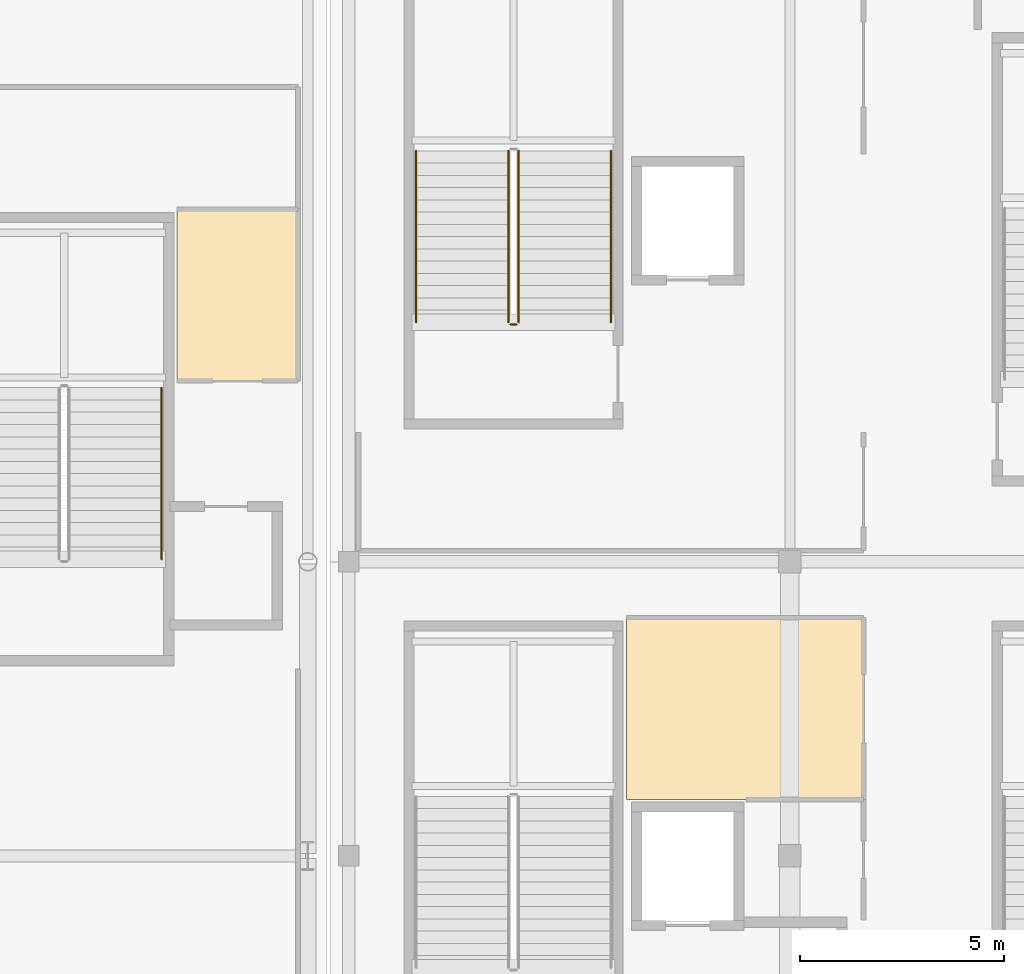
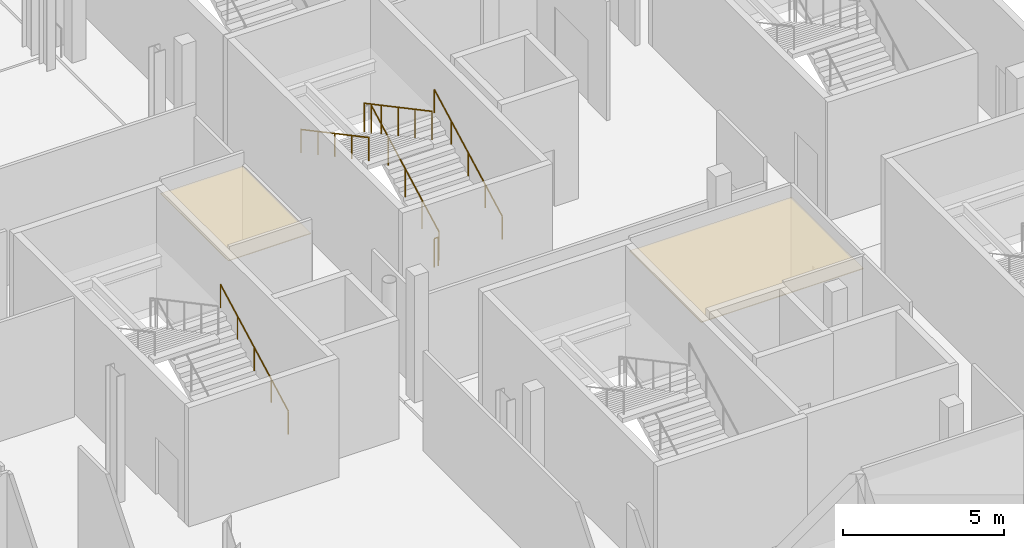
# One storey, part 98 of 129: 6 railings, 2 coverings.
"""IFC4 building model written with IfcOpenShell, lengths in metres."""

from ifc_helpers import new_model, si_unit, direction, frame, origin, origin_2d, place, context, subcontext, project, spatial, polyline, circle, outline, extrude, material, layer, layer_set, type_object, element, save


model = new_model("IFC4")

# Units and contexts
model_context = context("Model", 3, precision=1e-05, world=origin(), true_north=direction((0.0, 1.0)))
body_context = subcontext(model_context, "Body", "Model", "MODEL_VIEW")
ifc_project = project(units=[si_unit("LENGTHUNIT", "METRE"), si_unit("AREAUNIT", "SQUARE_METRE"), si_unit("VOLUMEUNIT", "CUBIC_METRE"), si_unit("PLANEANGLEUNIT", "RADIAN"), si_unit("MASSUNIT", "GRAM", prefix="KILO")], contexts=[model_context])

# Site, building, storey
site_placement = place(None, origin())
site = spatial("IfcSite", under=ifc_project, at=site_placement, CompositionType="ELEMENT")
building_placement = place(site_placement, origin())
building = spatial("IfcBuilding", under=site, at=building_placement, Name="Koshinbarg Plaza Stadium", CompositionType="ELEMENT")
storey_placement = place(building_placement, frame((0.0, 0.0, 5.39990234375)))
storey = spatial("IfcBuildingStorey", under=building, at=storey_placement, Name="L01", CompositionType="ELEMENT", Elevation=5.39990234375)

# Coverings
ifc_material_1 = material(Name="Perforated gypsum acoustic ceiling board")
ifc_layer = layer(ifc_material_1, 0.030029296875)
ifc_layer_set = layer_set([ifc_layer], Name="Perforated gypsum acoustic ceiling board")
covering_type = type_object("IfcCoveringType", Name="COV-CEIL-01", PredefinedType="CEILING", material=ifc_layer_set)
covering_1_placement = place(storey_placement, frame((0.0, 0.0, 3.9501953125)))
element("IfcCovering", 1, at=covering_1_placement, inside=storey, type_object=covering_type, Name="L01 Supporters' Club Lounge acoustic ceiling 005", PredefinedType="CEILING", context=body_context, shape_type="SweptSolid", body=[
    extrude(outline(polyline([(31.39990234375, 48.47998046875), (37.199951171875, 48.47998046875), (37.199951171875, 52.929931640625), (31.39990234375, 52.929931640625), (31.39990234375, 48.47998046875)])), origin(), (0.0, 0.0, 1.0), 0.02978515625),
])
covering_2_placement = place(storey_placement, frame((0.0, 0.0, 3.91015625)))
element("IfcCovering", 2, at=covering_2_placement, inside=storey, type_object=covering_type, Name="L01 Media Welcome Lounge acoustic ceiling 020", PredefinedType="CEILING", context=body_context, shape_type="SweptSolid", body=[
    extrude(outline(polyline([(20.39990234375, 58.72998046875), (23.35498046875, 58.72998046875), (23.35498046875, 62.929931640625), (20.39990234375, 62.929931640625), (20.39990234375, 58.72998046875)])), origin(), (0.0, 0.0, 1.0), 0.030029296875),
])

# Railings
ifc_material_2 = material(Name="Galvanized painted steel guardrail", Category="steel")
railing_type_1 = type_object("IfcRailingType", Name="RL-GUARD-1100", PredefinedType="GUARDRAIL", material=ifc_material_2)
railing_1_placement = place(storey_placement, frame((28.760009765625, 60.159912109375, 0.16015625)))
element("IfcRailing", 3, at=railing_1_placement, inside=storey, type_object=railing_type_1, Name="L01 C03 stair guard 1", PredefinedType="GUARDRAIL", context=body_context, shape_type="SweptSolid", body=[
    extrude(circle(Radius=0.02392578125, at=origin_2d()), frame((0.0, 0.0, 1.076171875), z_axis=(0.0, 0.882362879185, 0.470569601054), x_axis=(-1.0, 0.0, 0.0)), (0.0, 0.0, 1.0), 4.76025390625),
    extrude(circle(Radius=0.02099609375, at=origin_2d()), origin(), (0.0, 0.0, 1.0), 1.052001953125),
    extrude(circle(Radius=0.02099609375, at=origin_2d()), frame((0.0, 1.050048828125, 0.56005859375)), (0.0, 0.0, 1.0), 1.052001953125),
    extrude(circle(Radius=0.02099609375, at=origin_2d()), frame((0.0, 2.10009765625, 1.1201171875)), (0.0, 0.0, 1.0), 1.052001953125),
    extrude(circle(Radius=0.02099609375, at=origin_2d()), frame((0.0, 3.150146484375, 1.679931640625)), (0.0, 0.0, 1.0), 1.052001953125),
    extrude(circle(Radius=0.02099609375, at=origin_2d()), frame((0.0, 4.2001953125, 2.239990234375)), (0.0, 0.0, 1.0), 1.052001953125),
])
railing_2_placement = place(storey_placement, frame((28.510009765625, 64.360107421875, 2.56005859375)))
element("IfcRailing", 4, at=railing_2_placement, inside=storey, type_object=railing_type_1, Name="L01 C03 stair guard 3", PredefinedType="GUARDRAIL", context=body_context, shape_type="SweptSolid", body=[
    extrude(circle(Radius=0.02392578125, at=origin_2d()), frame((0.0, 0.0, 1.076171875), z_axis=(0.0, -0.882362879185, 0.470569601054), x_axis=(1.0, 0.0, 0.0)), (0.0, 0.0, 1.0), 4.76025390625),
    extrude(circle(Radius=0.02099609375, at=origin_2d()), origin(), (0.0, 0.0, 1.0), 1.052001953125),
    extrude(circle(Radius=0.02099609375, at=origin_2d()), frame((0.0, -1.050048828125, 0.56005859375)), (0.0, 0.0, 1.0), 1.052001953125),
    extrude(circle(Radius=0.02099609375, at=origin_2d()), frame((0.0, -2.10009765625, 1.1201171875)), (0.0, 0.0, 1.0), 1.052001953125),
    extrude(circle(Radius=0.02099609375, at=origin_2d()), frame((0.0, -3.150146484375, 1.679931640625)), (0.0, 0.0, 1.0), 1.052001953125),
    extrude(circle(Radius=0.02099609375, at=origin_2d()), frame((0.0, -4.2001953125, 2.239990234375)), (0.0, 0.0, 1.0), 1.052001953125),
])
railing_3_placement = place(storey_placement, frame((28.7099609375, 60.110107421875, 0.0)))
element("IfcRailing", 5, at=railing_3_placement, inside=storey, type_object=railing_type_1, Name="L01 C03 stair guard 4", PredefinedType="GUARDRAIL", context=body_context, shape_type="SweptSolid", body=[
    extrude(circle(Radius=0.02392578125, at=origin_2d()), frame((0.0, 0.0, 1.076171875), z_axis=(-1.0, 0.0, 0.0), x_axis=(0.0, -1.0, 0.0)), (0.0, 0.0, 1.0), 0.14990234375),
    extrude(circle(Radius=0.02099609375, at=origin_2d()), origin(), (0.0, 0.0, 1.0), 1.052001953125),
    extrude(circle(Radius=0.02099609375, at=origin_2d()), frame((-0.14990234375, 0.0, 0.0)), (0.0, 0.0, 1.0), 1.052001953125),
])
ifc_material_3 = material(Name="Brushed stainless steel handrail", Category="steel")
railing_type_2 = type_object("IfcRailingType", Name="RL-HAND-900", PredefinedType="HANDRAIL", material=ifc_material_3)
railing_4_placement = place(storey_placement, frame((31.02001953125, 60.159912109375, 0.16015625)))
element("IfcRailing", 6, at=railing_4_placement, inside=storey, type_object=railing_type_2, Name="L01 C03 stair handrail 1", PredefinedType="HANDRAIL", context=body_context, shape_type="SweptSolid", body=[
    extrude(circle(Radius=0.02392578125, at=origin_2d()), frame((0.0, 0.0, 0.8759765625), z_axis=(0.0, 0.882362879185, 0.470569601054), x_axis=(-1.0, 0.0, 0.0)), (0.0, 0.0, 1.0), 4.76025390625),
    extrude(circle(Radius=0.02099609375, at=origin_2d()), origin(), (0.0, 0.0, 1.0), 0.851806640625),
    extrude(circle(Radius=0.02099609375, at=origin_2d()), frame((0.0, 1.050048828125, 0.56005859375)), (0.0, 0.0, 1.0), 0.851806640625),
    extrude(circle(Radius=0.02099609375, at=origin_2d()), frame((0.0, 2.10009765625, 1.1201171875)), (0.0, 0.0, 1.0), 0.851806640625),
    extrude(circle(Radius=0.02099609375, at=origin_2d()), frame((0.0, 3.150146484375, 1.679931640625)), (0.0, 0.0, 1.0), 0.851806640625),
    extrude(circle(Radius=0.02099609375, at=origin_2d()), frame((0.0, 4.2001953125, 2.239990234375)), (0.0, 0.0, 1.0), 0.851806640625),
])
railing_5_placement = place(storey_placement, frame((26.25, 64.360107421875, 2.56005859375)))
element("IfcRailing", 7, at=railing_5_placement, inside=storey, type_object=railing_type_2, Name="L01 C03 stair handrail 2", PredefinedType="HANDRAIL", context=body_context, shape_type="SweptSolid", body=[
    extrude(circle(Radius=0.02392578125, at=origin_2d()), frame((0.0, 0.0, 0.8759765625), z_axis=(0.0, -0.882362879185, 0.470569601054), x_axis=(1.0, 0.0, 0.0)), (0.0, 0.0, 1.0), 4.76025390625),
    extrude(circle(Radius=0.02099609375, at=origin_2d()), origin(), (0.0, 0.0, 1.0), 0.851806640625),
    extrude(circle(Radius=0.02099609375, at=origin_2d()), frame((0.0, -1.050048828125, 0.56005859375)), (0.0, 0.0, 1.0), 0.851806640625),
    extrude(circle(Radius=0.02099609375, at=origin_2d()), frame((0.0, -2.10009765625, 1.1201171875)), (0.0, 0.0, 1.0), 0.851806640625),
    extrude(circle(Radius=0.02099609375, at=origin_2d()), frame((0.0, -3.150146484375, 1.679931640625)), (0.0, 0.0, 1.0), 0.851806640625),
    extrude(circle(Radius=0.02099609375, at=origin_2d()), frame((0.0, -4.2001953125, 2.239990234375)), (0.0, 0.0, 1.0), 0.851806640625),
])
railing_6_placement = place(storey_placement, frame((20.02001953125, 54.360107421875, 0.16015625)))
element("IfcRailing", 8, at=railing_6_placement, inside=storey, type_object=railing_type_2, Name="L01 C16 stair handrail 1", PredefinedType="HANDRAIL", context=body_context, shape_type="SweptSolid", body=[
    extrude(circle(Radius=0.02392578125, at=origin_2d()), frame((0.0, 0.0, 0.8759765625), z_axis=(0.0, 0.882351521365, 0.470590897432), x_axis=(-1.0, 0.0, 0.0)), (0.0, 0.0, 1.0), 4.760009765625),
    extrude(circle(Radius=0.02099609375, at=origin_2d()), origin(), (0.0, 0.0, 1.0), 0.851806640625),
    extrude(circle(Radius=0.02099609375, at=origin_2d()), frame((0.0, 1.050048828125, 0.56005859375)), (0.0, 0.0, 1.0), 0.851806640625),
    extrude(circle(Radius=0.02099609375, at=origin_2d()), frame((0.0, 2.10009765625, 1.1201171875)), (0.0, 0.0, 1.0), 0.851806640625),
    extrude(circle(Radius=0.02099609375, at=origin_2d()), frame((0.0, 3.14990234375, 1.679931640625)), (0.0, 0.0, 1.0), 0.851806640625),
    extrude(circle(Radius=0.02099609375, at=origin_2d()), frame((0.0, 4.199951171875, 2.239990234375)), (0.0, 0.0, 1.0), 0.851806640625),
])

save(model, "model.ifc")
